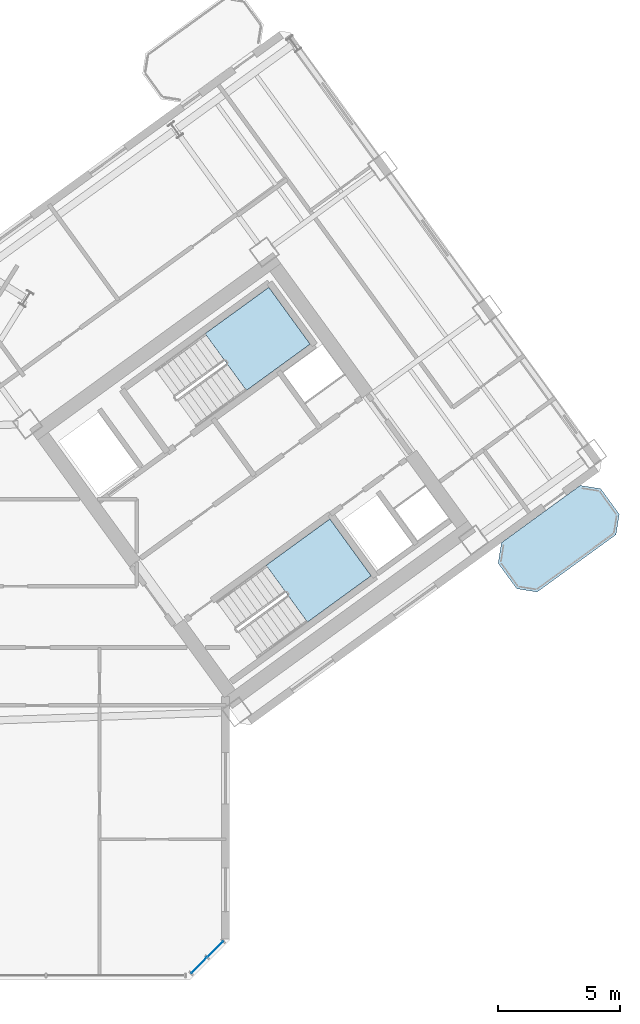
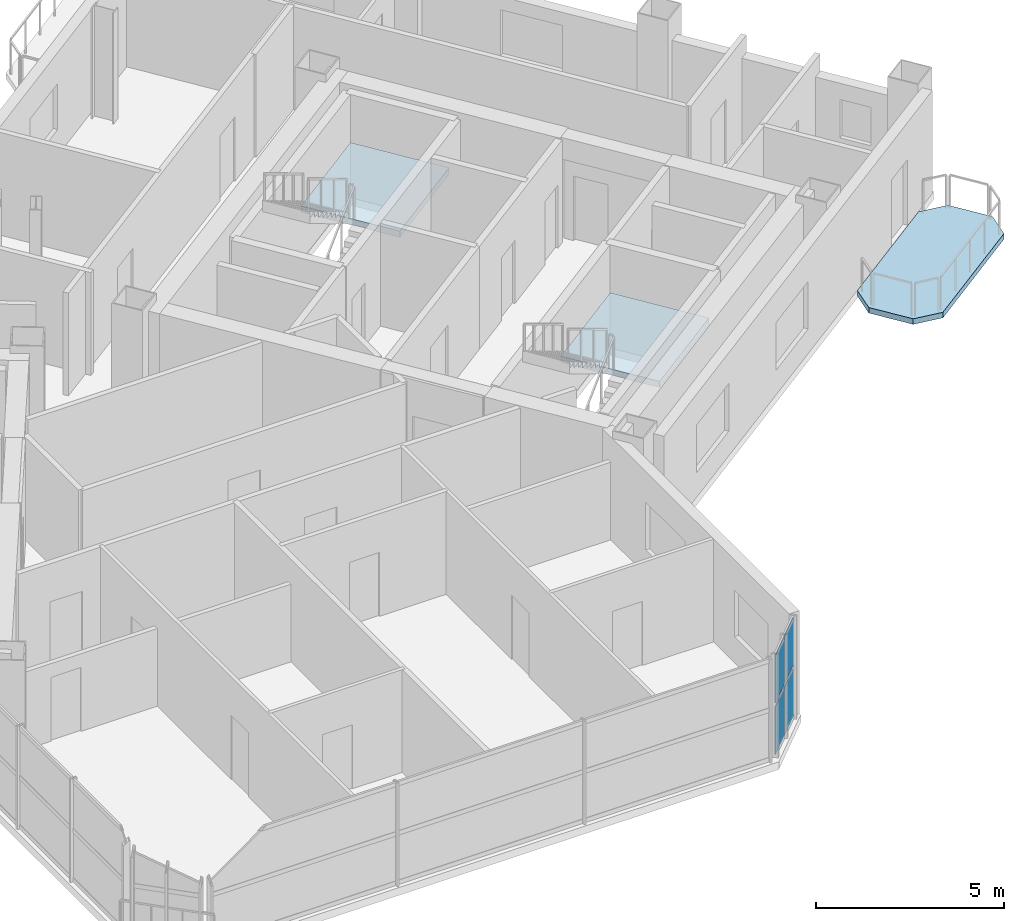
# One storey, part 10 of 20: 4 plates, 3 slabs, 3 elements without a shape of their own.
"""IFC4 building model written with IfcOpenShell, lengths in metres."""

from ifc_helpers import new_model, si_unit, direction, frame, origin, origin_2d, place, context, subcontext, project, spatial, polyline, rectangle, outline, extrude, source, transform, mapped, material, layer, layer_set, type_object, element, aggregate, save


model = new_model("IFC4")

# Units and contexts
model_context = context("Model", 3, precision=1e-05, world=origin(), true_north=direction((0.0, 1.0)))
body_context = subcontext(model_context, "Body", "Model", "MODEL_VIEW")
ifc_project = project(units=[si_unit("LENGTHUNIT", "METRE"), si_unit("AREAUNIT", "SQUARE_METRE"), si_unit("VOLUMEUNIT", "CUBIC_METRE"), si_unit("PLANEANGLEUNIT", "RADIAN"), si_unit("MASSUNIT", "GRAM", prefix="KILO")], contexts=[model_context])

# Site, building, storey
site_placement = place(None, origin())
site = spatial("IfcSite", under=ifc_project, at=site_placement, CompositionType="ELEMENT")
building_placement = place(site_placement, origin())
building = spatial("IfcBuilding", under=site, at=building_placement, Name="Tlacorven Tower", CompositionType="ELEMENT")
storey_placement = place(building_placement, frame((0.0, 0.0, 108.89990234375)))
storey = spatial("IfcBuildingStorey", under=building, at=storey_placement, Name="L27", CompositionType="ELEMENT", Elevation=108.89990234375)

# Slab
ifc_material_1 = material(Name="Precast concrete C45/55", Category="concrete")
ifc_layer_1 = layer(ifc_material_1, 0.179931640625)
ifc_layer_set_1 = layer_set([ifc_layer_1], Name="Precast concrete C45/55")
slab_type_1 = type_object("IfcSlabType", Name="SL-BAL-180", PredefinedType="USERDEFINED", material=ifc_layer_set_1)
slab_1_placement = place(storey_placement, frame((0.0, 0.0, -0.179931640625)))
element("IfcSlab", 1, at=slab_1_placement, inside=storey, type_object=slab_type_1, Name="L27 East Wing Balcony Ribbon OUT", ObjectType="BALCONY SLAB", PredefinedType="USERDEFINED", context=body_context, shape_type="SweptSolid", body=[
    extrude(outline(polyline([(65.025634765625, 17.69482421875), (68.26171875, 20.046142578125), (68.394287109375, 20.884033203125), (67.633056640625, 21.931884765625), (66.795166015625, 22.064453125), (63.55908203125, 19.71337890625), (63.42626953125, 18.875244140625), (64.1875, 17.82763671875), (65.025634765625, 17.69482421875)])), origin(), (0.0, 0.0, 1.0), 0.179931640625),
])

# Stair, slab
ifc_material_2 = material(Name="Concrete C40/50", Category="concrete")
stair_type = type_object("IfcStairType", Name="ST-CORE-DLG", PredefinedType="HALF_TURN_STAIR", material=ifc_material_2)
stair_1_placement = place(storey_placement, origin())
stair_1 = element("IfcStair", 2, at=stair_1_placement, inside=storey, type_object=stair_type, Name="L27 Protected Exit Stair East 1", PredefinedType="HALF_TURN_STAIR")
ifc_layer_2 = layer(ifc_material_2, 0.199951171875)
ifc_layer_set_2 = layer_set([ifc_layer_2], Name="Concrete C40/50")
slab_type_2 = type_object("IfcSlabType", Name="SL-LND-200", PredefinedType="LANDING", material=ifc_layer_set_2)
slab_2_placement = place(storey_placement, frame((0.0, 0.0, 1.60009765625)))
slab_2 = element("IfcSlab", 3, at=slab_2_placement, type_object=slab_type_2, Name="ST-E1 landing 1", PredefinedType="LANDING", context=body_context, shape_type="SweptSolid", body=[
    extrude(outline(polyline([(53.09765625, 25.962890625), (55.7109375, 27.861572265625), (54.01806640625, 30.19140625), (51.40478515625, 28.29296875), (53.09765625, 25.962890625)])), origin(), (0.0, 0.0, 1.0), 0.199951171875),
])
aggregate(stair_1, [slab_2])

stair_2_placement = place(storey_placement, origin())
stair_2 = element("IfcStair", 4, at=stair_2_placement, inside=storey, type_object=stair_type, Name="L27 Protected Exit Stair East 2", PredefinedType="HALF_TURN_STAIR")
slab_3_placement = place(storey_placement, frame((0.0, 0.0, 1.60009765625)))
slab_3 = element("IfcSlab", 5, at=slab_3_placement, type_object=slab_type_2, Name="ST-E2 landing 1", PredefinedType="LANDING", context=body_context, shape_type="SweptSolid", body=[
    extrude(outline(polyline([(55.601806640625, 16.4599609375), (58.21484375, 18.3583984375), (56.52197265625, 20.6884765625), (53.908935546875, 18.789794921875), (55.601806640625, 16.4599609375)])), origin(), (0.0, 0.0, 1.0), 0.199951171875),
])
aggregate(stair_2, [slab_3])

# Curtain wall, plates
ifc_material_3 = material(Name="Dark solar low-E double glazing in aluminium frame", Category="aluminium")
curtain_wall_type = type_object("IfcCurtainWallType", Name="CW-TWR-MID", PredefinedType="USERDEFINED", material=ifc_material_3)
curtain_wall_placement = place(storey_placement, origin())
curtain_wall = element("IfcCurtainWall", 6, at=curtain_wall_placement, inside=storey, type_object=curtain_wall_type, Name="L27 CW-TWR-MID Curtain Wall 135", ObjectType="UNITISED CURTAIN WALL", PredefinedType="USERDEFINED")
ifc_material_4 = material(Name="High-wind dark solar tempered low-E glazing", Category="glass")
ifc_layer_3 = layer(ifc_material_4, 0.028076171875)
ifc_layer_set_3 = layer_set([ifc_layer_3], Name="High-wind dark solar tempered low-E glazing")
plate_type = type_object("IfcPlateType", Name="CWP-03", PredefinedType="CURTAIN_PANEL", material=ifc_layer_set_3)
shared_shape = source(origin(), body_context, "Body", "SweptSolid", [
    extrude(rectangle(XDim=0.885498046875, YDim=0.028076171875, at=origin_2d()), origin(), (0.0, 0.0, 1.0), 1.552978515625),
])
plate_1_placement = place(storey_placement, frame((51.816650390625, 3.04296875, 0.06103515625), z_axis=(0.0, 0.0, 1.0), x_axis=(-0.707106781187, -0.707106781187, 0.0)))
plate_1 = element("IfcPlate", 7, at=plate_1_placement, type_object=plate_type, Name="CW-L27-135 Glazing Panel 1", PredefinedType="CURTAIN_PANEL", context=body_context, shape_type="MappedRepresentation", body=[
    mapped(shared_shape, transform((0.0, 0.0, 0.0), scale=1.0)),
])
plate_2_placement = place(storey_placement, frame((51.816650390625, 3.04296875, 1.736328125), z_axis=(0.0, 0.0, 1.0), x_axis=(-0.707106781187, -0.707106781187, 0.0)))
plate_2 = element("IfcPlate", 8, at=plate_2_placement, type_object=plate_type, Name="CW-L27-135 Glazing Panel 2", PredefinedType="CURTAIN_PANEL", context=body_context, shape_type="MappedRepresentation", body=[
    mapped(shared_shape, transform((0.0, 0.0, 0.0), scale=1.0)),
])
plate_3_placement = place(storey_placement, frame((51.1572265625, 2.38330078125, 0.06103515625), z_axis=(0.0, 0.0, 1.0), x_axis=(-0.707106781187, -0.707106781187, 0.0)))
plate_3 = element("IfcPlate", 9, at=plate_3_placement, type_object=plate_type, Name="CW-L27-135 Glazing Panel 3", PredefinedType="CURTAIN_PANEL", context=body_context, shape_type="MappedRepresentation", body=[
    mapped(shared_shape, transform((0.0, 0.0, 0.0), scale=1.0)),
])
plate_4_placement = place(storey_placement, frame((51.1572265625, 2.38330078125, 1.736328125), z_axis=(0.0, 0.0, 1.0), x_axis=(-0.707106781187, -0.707106781187, 0.0)))
plate_4 = element("IfcPlate", 10, at=plate_4_placement, type_object=plate_type, Name="CW-L27-135 Glazing Panel 4", PredefinedType="CURTAIN_PANEL", context=body_context, shape_type="MappedRepresentation", body=[
    mapped(shared_shape, transform((0.0, 0.0, 0.0), scale=1.0)),
])
aggregate(curtain_wall, [plate_1, plate_2, plate_3, plate_4])

save(model, "model.ifc")
